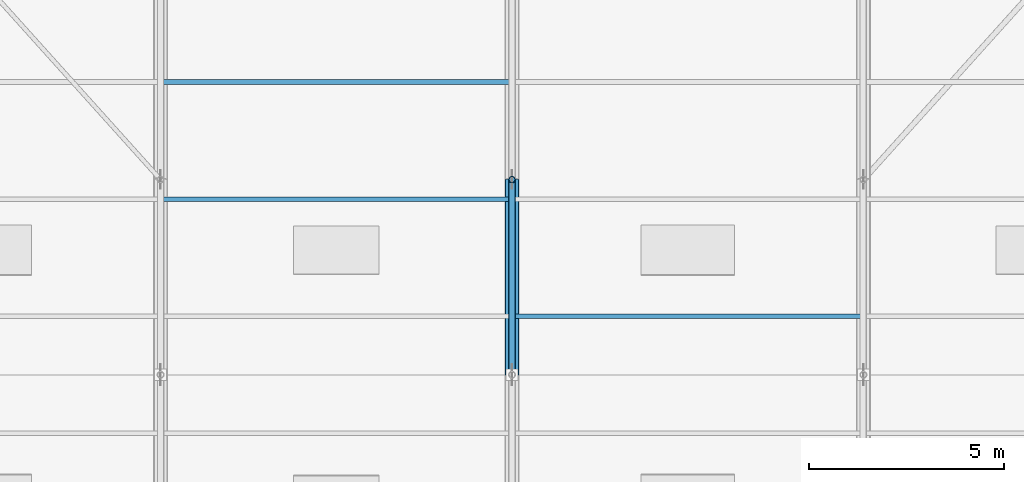
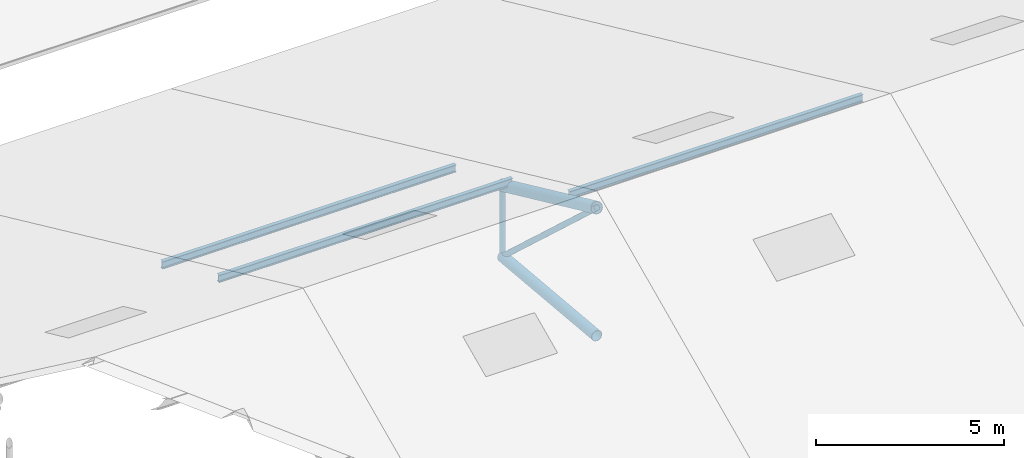
# One storey, part 18 of 107: 7 members.
"""IFC4 building model written with IfcOpenShell, lengths in metres."""

from ifc_helpers import new_model, si_unit, derived_unit, direction, frame, origin, origin_2d, place, context, subcontext, project, spatial, hollow_circle, i_section, extrude, material, material_profile, profile_set, type_object, element, save


model = new_model("IFC4")

# Units and contexts
model_context = context("Model", 3, precision=1e-05, world=origin(), true_north=direction((0.0, 1.0)))
body_context = subcontext(model_context, "Body", "Model", "MODEL_VIEW")
ifc_project = project(units=[si_unit("LENGTHUNIT", "METRE"), si_unit("AREAUNIT", "SQUARE_METRE"), si_unit("VOLUMEUNIT", "CUBIC_METRE"), si_unit("PLANEANGLEUNIT", "RADIAN"), si_unit("MASSUNIT", "GRAM", prefix="KILO"), si_unit("THERMODYNAMICTEMPERATUREUNIT", "KELVIN"), si_unit("TIMEUNIT", "SECOND"), derived_unit("THERMALTRANSMITTANCEUNIT", [(si_unit("MASSUNIT", "GRAM", prefix="KILO"), 1), (si_unit("THERMODYNAMICTEMPERATUREUNIT", "KELVIN"), -1), (si_unit("TIMEUNIT", "SECOND"), -3)])], contexts=[model_context])

# Site, building, storey
site_placement = place(None, origin())
site = spatial("IfcSite", under=ifc_project, at=site_placement, CompositionType="ELEMENT")
building_placement = place(site_placement, origin())
building = spatial("IfcBuilding", under=site, at=building_placement, Name="Cambertide Market Hall", CompositionType="ELEMENT")
storey_placement = place(building_placement, frame((0.0, 0.0, 18.300048828125)))
storey = spatial("IfcBuildingStorey", under=building, at=storey_placement, Name="RF", CompositionType="ELEMENT", Elevation=18.300048828125)

# Members
ifc_material_1 = material(Name="Steel S355", Category="steel")
ifc_material_profile_1 = material_profile(ifc_material_1, hollow_circle(Radius=0.161865234375, WallThickness=0.010009765625, at=origin_2d()), Name="CHS 323.9x10")
ifc_profile_set_1 = profile_set([ifc_material_profile_1], Name="Steel S355")
member_type_1 = type_object("IfcMemberType", Name="Arched Truss Chord CHS 323.9x10", PredefinedType="CHORD", material=ifc_profile_set_1)
member_1_placement = place(storey_placement, frame((60.0, 72.0, -4.5), z_axis=(0.0, 0.9958792443, -0.090689198761), x_axis=(-1.0, 0.0, 0.0)))
element("IfcMember", 1, at=member_1_placement, inside=storey, type_object=member_type_1, Name="Roof Truss 3 Arched Bottom Chord 5", PredefinedType="CHORD", context=body_context, shape_type="SweptSolid", body=[
    extrude(hollow_circle(Radius=0.161865234375, WallThickness=0.010009765625, at=origin_2d()), origin(), (0.0, 0.0, 1.0), 5.020751953125),
])
ifc_material_2 = material(Name="Steel S355", Category="steel")
ifc_material_profile_2 = material_profile(ifc_material_2, hollow_circle(Radius=0.177734375, WallThickness=0.012451171875, at=origin_2d()), Name="CHS 355.6x12.5")
ifc_profile_set_2 = profile_set([ifc_material_profile_2], Name="Steel S355")
member_type_2 = type_object("IfcMemberType", Name="Arched Truss Chord CHS 355.6x12.5", PredefinedType="CHORD", material=ifc_profile_set_2)
member_2_placement = place(storey_placement, frame((60.0, 72.0, -0.35009765625), z_axis=(0.0, 0.908487084298, -0.417912930721), x_axis=(-1.0, 0.0, 0.0)))
element("IfcMember", 2, at=member_2_placement, inside=storey, type_object=member_type_2, Name="Roof Truss 3 Top Chord 5", PredefinedType="CHORD", context=body_context, shape_type="SweptSolid", body=[
    extrude(hollow_circle(Radius=0.177734375, WallThickness=0.012451171875, at=origin_2d()), origin(), (0.0, 0.0, 1.0), 5.503662109375),
])
ifc_material_3 = material(Name="Steel S275", Category="steel")
ifc_material_profile_3 = material_profile(ifc_material_3, i_section(OverallWidth=0.1201171875, OverallDepth=0.239990234375, WebThickness=0.006103515625, FlangeThickness=0.009765625, FilletRadius=0.014892578125, at=origin_2d()), Name="IPE 240")
ifc_profile_set_3 = profile_set([ifc_material_profile_3], Name="Steel S275")
member_type_3 = type_object("IfcMemberType", Name="Roof Purlin IPE 240", PredefinedType="PURLIN", material=ifc_profile_set_3)
for number, where, z_axis, x_axis, name in (
    (3, (51.0, 76.5, -2.2099609375), (1.0, 0.0, 0.0), (0.0, 1.0, 0.0), "Barrel Roof Purlin 2-10"),
    (4, (51.0, 79.5, -3.590087890625), (1.0, 0.0, 0.0), (0.0, 1.0, 0.0), "Barrel Roof Purlin 2-11"),
    (5, (60.0, 73.5, -0.830078125), (1.0, 0.0, 0.0), (0.0, 1.0, 0.0), "Barrel Roof Purlin 3-09"),
):
    element("IfcMember", number, at=place(storey_placement, frame(where, z_axis=z_axis, x_axis=x_axis)), inside=storey, type_object=member_type_3, Name=name, PredefinedType="PURLIN", context=body_context, shape_type="SweptSolid", body=[
        extrude(i_section(OverallWidth=0.1201171875, OverallDepth=0.239990234375, WebThickness=0.006103515625, FlangeThickness=0.009765625, FilletRadius=0.014892578125, at=origin_2d()), origin(), (0.0, 0.0, 1.0), 9.0),
    ])
ifc_material_4 = material(Name="Steel S355", Category="steel")
ifc_material_profile_4 = material_profile(ifc_material_4, hollow_circle(Radius=0.084228515625, WallThickness=0.00634765625, at=origin_2d()), Name="CHS 168.3x6.3")
ifc_profile_set_4 = profile_set([ifc_material_profile_4], Name="Steel S355")
member_type_4 = type_object("IfcMemberType", Name="Structural Brace CHS 168.3x6.3", PredefinedType="BRACE", material=ifc_profile_set_4)
member_3_placement = place(storey_placement, frame((60.0, 72.0, -0.35009765625), z_axis=(0.0, 0.73554793102, -0.677472686662), x_axis=(-1.0, 0.0, 0.0)))
element("IfcMember", 6, at=member_3_placement, inside=storey, type_object=member_type_4, Name="Roof Truss 3 Web Diagonal 5", PredefinedType="BRACE", context=body_context, shape_type="SweptSolid", body=[
    extrude(hollow_circle(Radius=0.084228515625, WallThickness=0.00634765625, at=origin_2d()), origin(), (0.0, 0.0, 1.0), 6.797607421875),
])
member_4_placement = place(storey_placement, frame((60.0, 77.0, -4.955322265625), z_axis=(0.0, 0.0, 1.0), x_axis=(1.0, 0.0, 0.0)))
element("IfcMember", 7, at=member_4_placement, inside=storey, type_object=member_type_4, Name="Roof Truss 3 Web Post 6", PredefinedType="BRACE", context=body_context, shape_type="SweptSolid", body=[
    extrude(hollow_circle(Radius=0.084228515625, WallThickness=0.00634765625, at=origin_2d()), origin(), (0.0, 0.0, 1.0), 2.30517578125),
])

save(model, "model.ifc")
